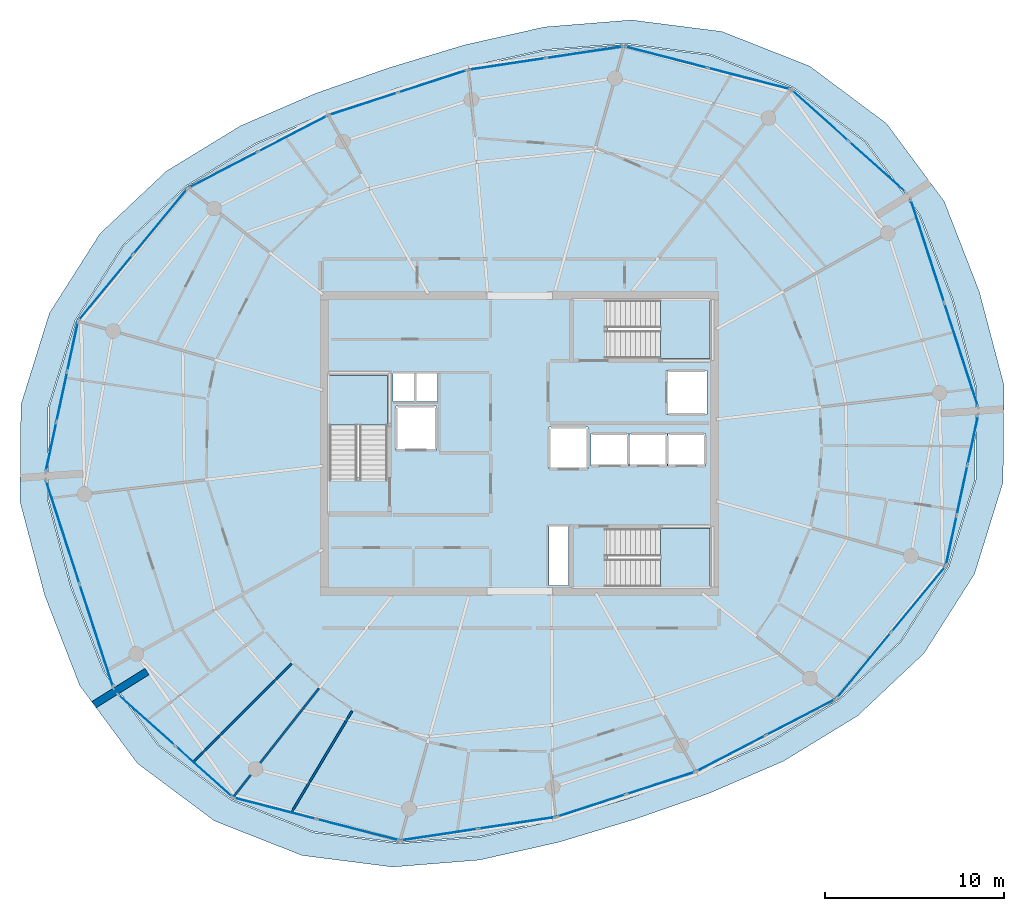
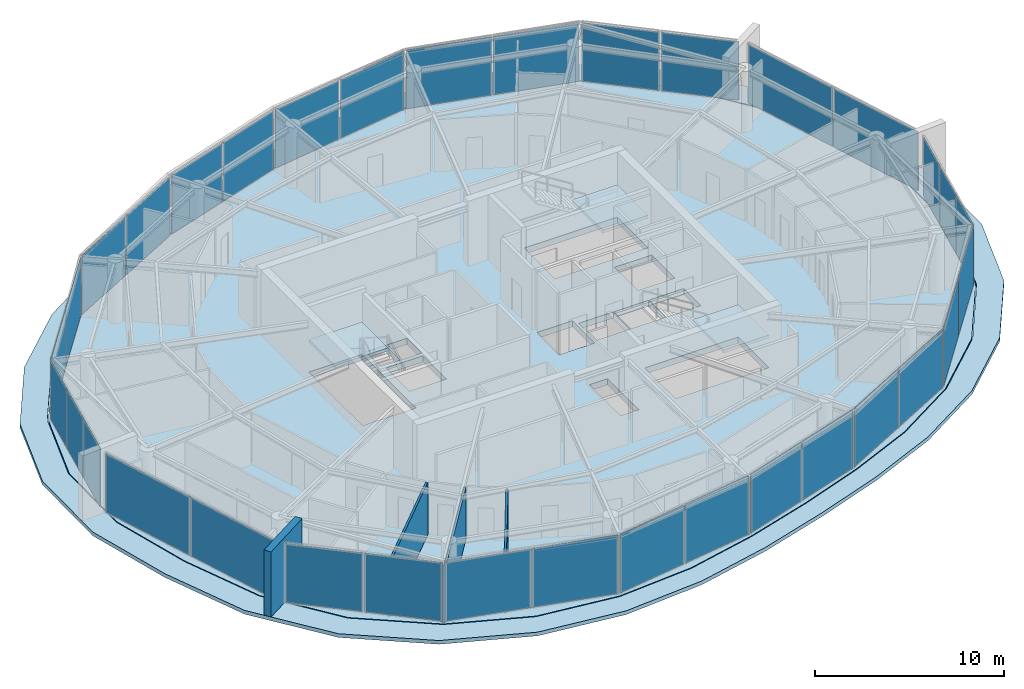
# One storey, part 10 of 16: 34 plates, 5 slabs, 4 walls, 19 elements without a shape of their own.
"""IFC4 building model written with IfcOpenShell, lengths in metres."""

import ifcopenshell
import ifcopenshell.guid

model = None  # the IFC model being written
_history = None  # IfcOwnerHistory: only IFC2X3 demands one
_inside = {}  # id of a spatial element -> (the spatial element, [elements in it])
_under = {}  # id of a project, library or spatial element -> (it, [spatial elements below it])
_declared = {}  # id of a project -> (the project, [libraries it declares])
_typed = {}  # id of a type object -> (the type object, [elements of that type])
_made_of = {}  # id of a material, layer set ... -> (it, [elements and type objects made of it])


def new_model(schema):
    """Start an empty IFC model of exactly this schema.

    Asked for "IFC4X3", IfcOpenShell would pick the latest addendum, in which some entities
    have other attributes; the version numbers below select the first issue.
    IFC2X3 requires an IfcOwnerHistory on every rooted entity: one is made here for all.
    """
    global model, _history
    if schema == "IFC4X3":
        model = ifcopenshell.file(schema_version=(4, 3, 0, 0))
    else:
        model = ifcopenshell.file(schema=schema)
    _inside.clear()
    _under.clear()
    _declared.clear()
    _typed.clear()
    _made_of.clear()
    _history = None
    if model.schema == "IFC2X3":
        org = make("IfcOrganization", Name="unknown")
        user = make(
            "IfcPersonAndOrganization",
            ThePerson=make("IfcPerson", FamilyName="unknown"),
            TheOrganization=org,
        )
        app = make(
            "IfcApplication",
            ApplicationDeveloper=org,
            Version="unknown",
            ApplicationFullName="unknown",
            ApplicationIdentifier="unknown",
        )
        _history = make(
            "IfcOwnerHistory",
            OwningUser=user,
            OwningApplication=app,
            ChangeAction="ADDED",
            CreationDate=0,
        )
    return model


def make(cls, **values):
    """One entity of the class cls with the attributes given. An attribute that is None is left unset."""
    return model.create_entity(
        cls, **{name: value for name, value in values.items() if value is not None}
    )


def rooted(cls, **values):
    """An entity with a GlobalId (a new one), such as an element, a storey or a relation."""
    return make(cls, GlobalId=ifcopenshell.guid.new(), OwnerHistory=_history, **values)


def si_unit(unit_type, name, prefix=None):
    """IfcSIUnit, for example si_unit("LENGTHUNIT", "METRE", prefix="MILLI")."""
    return make("IfcSIUnit", UnitType=unit_type, Prefix=prefix, Name=name)


def assignment(units):
    """IfcUnitAssignment: the units of a project."""
    return None if units is None else make("IfcUnitAssignment", Units=units)


def point(xyz):
    """IfcCartesianPoint."""
    return None if xyz is None else make("IfcCartesianPoint", Coordinates=xyz)


def direction(xyz):
    """IfcDirection."""
    return None if xyz is None else make("IfcDirection", DirectionRatios=xyz)


def frame(location, z_axis=None, x_axis=None):
    """IfcAxis2Placement3D, a coordinate frame: its origin and axes. An axis left out is left unset."""
    return make(
        "IfcAxis2Placement3D",
        Location=point(location),
        Axis=direction(z_axis),
        RefDirection=direction(x_axis),
    )


def frame_2d(location, x_axis=None):
    """IfcAxis2Placement2D, a coordinate frame in the plane: its origin and x axis."""
    return make(
        "IfcAxis2Placement2D", Location=point(location), RefDirection=direction(x_axis)
    )


def origin():
    """The frame at (0, 0, 0) with its axes left unset."""
    return frame((0.0, 0.0, 0.0))


def origin_2d():
    """The frame at (0, 0) in the plane with its x axis left unset."""
    return frame_2d((0.0, 0.0))


def place(relative_to, where):
    """IfcLocalPlacement: puts the frame where relative to a parent placement (None: the world)."""
    return make(
        "IfcLocalPlacement", PlacementRelTo=relative_to, RelativePlacement=where
    )


def context(
    kind, dimensions, precision=None, world=None, true_north=None, identifier=None
):
    """IfcGeometricRepresentationContext, for example the 3D "Model" context."""
    return make(
        "IfcGeometricRepresentationContext",
        ContextIdentifier=identifier,
        ContextType=kind,
        CoordinateSpaceDimension=dimensions,
        Precision=precision,
        WorldCoordinateSystem=world,
        TrueNorth=true_north,
    )


def subcontext(parent, identifier, kind, view, scale=None):
    """IfcGeometricRepresentationSubContext, for example "Body" below "Model"."""
    return make(
        "IfcGeometricRepresentationSubContext",
        ContextIdentifier=identifier,
        ContextType=kind,
        ParentContext=parent,
        TargetScale=scale,
        TargetView=view,
    )


def project(units=None, contexts=None):
    """IfcProject with its units and contexts."""
    return rooted(
        "IfcProject",
        Name="project",
        RepresentationContexts=contexts,
        UnitsInContext=assignment(units),
    )


def spatial(cls, under=None, at=None, **own):
    """A site, building, storey or space (cls), placed at a placement, below another one or the project."""
    s = rooted(cls, ObjectPlacement=at, **own)
    if under is not None:
        _under.setdefault(under.id(), (under, []))[1].append(s)
    return s


def polyline(points):
    """IfcPolyline through the points."""
    return make("IfcPolyline", Points=[point(p) for p in points])


def profile(cls, at=None, kind="AREA", **sizes):
    """A parametric profile (cls). Its sizes go by their IFC names, for example OverallWidth=200.0."""
    return make(cls, ProfileType=kind, Position=at, **sizes)


def rectangle(**sizes):
    """IfcRectangleProfileDef."""
    return profile("IfcRectangleProfileDef", **sizes)


def outline(outer, holes=None, kind="AREA"):
    """IfcArbitraryClosedProfileDef: a profile drawn as a closed curve; with holes, ...WithVoids."""
    if holes is None:
        return make("IfcArbitraryClosedProfileDef", ProfileType=kind, OuterCurve=outer)
    return make(
        "IfcArbitraryProfileDefWithVoids",
        ProfileType=kind,
        OuterCurve=outer,
        InnerCurves=holes,
    )


def extrude(swept, where, along, depth):
    """IfcExtrudedAreaSolid: the profile swept, set in the frame where, extruded along a direction by depth."""
    return make(
        "IfcExtrudedAreaSolid",
        SweptArea=swept,
        Position=where,
        ExtrudedDirection=direction(along),
        Depth=depth,
    )


def shape(context_of_items, identifier, shape_type, items):
    """IfcShapeRepresentation: the items that make up one representation, for example the "Body"."""
    return make(
        "IfcShapeRepresentation",
        ContextOfItems=context_of_items,
        RepresentationIdentifier=identifier,
        RepresentationType=shape_type,
        Items=items,
    )


def material(Name=None, Category=None):
    """IfcMaterial."""
    return make("IfcMaterial", Name=Name, Category=Category)


def layer(
    of_material, thickness, ventilated=None, Name=None, Category=None, Priority=None
):
    """IfcMaterialLayer: one layer of a wall or slab, of a material (None: an air gap)."""
    return make(
        "IfcMaterialLayer",
        Material=of_material,
        LayerThickness=thickness,
        IsVentilated=ventilated,
        Name=Name,
        Category=Category,
        Priority=Priority,
    )


def layer_set(layers, Name=None):
    """IfcMaterialLayerSet."""
    return make("IfcMaterialLayerSet", MaterialLayers=layers, LayerSetName=Name)


def made_of(thing, what):
    """Note that an element or type object is made of a material, layer set ...; save() writes the relation."""
    if what is not None:
        _made_of.setdefault(what.id(), (what, []))[1].append(thing)
    return thing


def type_object(cls, material=None, **own):
    """A type object (cls), such as IfcWallType, which elements share."""
    return made_of(rooted(cls, **own), material)


def element(
    cls,
    number,
    at=None,
    inside=None,
    cuts=None,
    type_object=None,
    material=None,
    context=None,
    identifier="Body",
    shape_type=None,
    held_by="IfcProductDefinitionShape",
    body=None,
    shapes=None,
    **own,
):
    """One element of the class cls, such as IfcWall. Its Tag is "e" and its number.

    at: its placement. inside: the storey or other place that contains it. cuts: it is an
    opening in that element (IfcRelVoidsElement). A single representation is given by context,
    identifier, shape_type and body (its items); several are given by shapes. held_by: the class
    of the entity that holds the representations. save() writes the other relations.
    """
    e = rooted(cls, Tag="e%d" % number, ObjectPlacement=at, **own)
    if body is not None:
        shapes = [shape(context, identifier, shape_type, body)]
    if shapes is not None:
        e.Representation = make(held_by, Representations=shapes)
    if inside is not None:
        _inside.setdefault(inside.id(), (inside, []))[1].append(e)
    if cuts is not None:
        rooted(
            "IfcRelVoidsElement", RelatingBuildingElement=cuts, RelatedOpeningElement=e
        )
    if type_object is not None:
        _typed.setdefault(type_object.id(), (type_object, []))[1].append(e)
    return made_of(e, material)


def aggregate(whole, parts):
    """IfcRelAggregates: a whole, such as a stair, and the parts it consists of."""
    return rooted("IfcRelAggregates", RelatingObject=whole, RelatedObjects=parts)


def save(model, path):
    """Write the relations noted so far, then the file.

    IfcRelAggregates (storeys below a building ...), IfcRelContainedInSpatialStructure (elements
    in a storey), IfcRelDefinesByType, IfcRelAssociatesMaterial and IfcRelDeclares: one each for
    every whole, place, type object, material and project.
    """
    for whole, parts in _under.values():
        aggregate(whole, parts)
    for where, things in _inside.values():
        rooted(
            "IfcRelContainedInSpatialStructure",
            RelatedElements=things,
            RelatingStructure=where,
        )
    for kind, things in _typed.values():
        rooted("IfcRelDefinesByType", RelatedObjects=things, RelatingType=kind)
    for what, things in _made_of.values():
        rooted("IfcRelAssociatesMaterial", RelatedObjects=things, RelatingMaterial=what)
    for by, libraries in _declared.values():
        rooted("IfcRelDeclares", RelatingContext=by, RelatedDefinitions=libraries)
    model.write(path)


model = new_model("IFC4")

# Units and contexts
model_context = context("Model", 3, precision=1e-05, world=origin(), true_north=direction((0.0, 1.0)))
body_context = subcontext(model_context, "Body", "Model", "MODEL_VIEW")
ifc_project = project(units=[si_unit("LENGTHUNIT", "METRE"), si_unit("AREAUNIT", "SQUARE_METRE"), si_unit("VOLUMEUNIT", "CUBIC_METRE"), si_unit("PLANEANGLEUNIT", "RADIAN"), si_unit("MASSUNIT", "GRAM", prefix="KILO")], contexts=[model_context])

# Site, building, storey
site_placement = place(None, origin())
site = spatial("IfcSite", under=ifc_project, at=site_placement, CompositionType="ELEMENT")
building_placement = place(site_placement, origin())
building = spatial("IfcBuilding", under=site, at=building_placement, Name="Kazma Halo Residences", CompositionType="ELEMENT")
storey_placement = place(building_placement, frame((0.0, 0.0, 313.699951171875)))
storey = spatial("IfcBuildingStorey", under=building, at=storey_placement, Name="L79", CompositionType="ELEMENT", Elevation=313.699951171875)

# Curtain wall, plates
ifc_material_1 = material(Name="Aluminium AW-6063 T6 and Triple-Silver Low-E Glass", Category="aluminium")
ifc_layer_1 = layer(ifc_material_1, 0.239990234375)
ifc_layer_set_1 = layer_set([ifc_layer_1], Name="Aluminium AW-6063 T6 and Triple-Silver Low-E Glass")
curtain_wall_type = type_object("IfcCurtainWallType", Name="CW-SYS-6", PredefinedType="NOTDEFINED", material=ifc_layer_set_1)
curtain_wall_1_placement = place(storey_placement, origin())
curtain_wall_1 = element("IfcCurtainWall", 1, at=curtain_wall_1_placement, inside=storey, type_object=curtain_wall_type, Name="L79 unitised curtain wall B01", PredefinedType="NOTDEFINED")
ifc_material_2 = material(Name="Clear Triple-Silver Low-E Glass IGU", Category="glass")
ifc_layer_2 = layer(ifc_material_2, 0.035888671875)
ifc_layer_set_2 = layer_set([ifc_layer_2], Name="Clear Triple-Silver Low-E Glass IGU")
plate_type = type_object("IfcPlateType", Name="CW-SYS-6-PNL", PredefinedType="CURTAIN_PANEL", material=ifc_layer_set_2)
plate_1_placement = place(storey_placement, frame((68.37646484375, 57.44189453125, 0.080078125), z_axis=(0.0, 0.0, 1.0), x_axis=(-0.744378829791, 0.667757559118, 0.0)))
plate_1 = element("IfcPlate", 2, at=plate_1_placement, type_object=plate_type, Name="CWS-6 panel 1.1", PredefinedType="CURTAIN_PANEL", context=body_context, shape_type="SweptSolid", body=[
    extrude(rectangle(XDim=4.19677734375, YDim=0.035888671875, at=origin_2d()), origin(), (0.0, 0.0, 1.0), 3.780029296875),
])
plate_2_placement = place(storey_placement, frame((65.19287109375, 60.297607421875, 0.080078125), z_axis=(0.0, 0.0, 1.0), x_axis=(-0.744378829791, 0.667757559118, 0.0)))
plate_2 = element("IfcPlate", 3, at=plate_2_placement, type_object=plate_type, Name="CWS-6 panel 2.1", PredefinedType="CURTAIN_PANEL", context=body_context, shape_type="SweptSolid", body=[
    extrude(rectangle(XDim=4.19677734375, YDim=0.035888671875, at=origin_2d()), origin(), (0.0, 0.0, 1.0), 3.780029296875),
])
aggregate(curtain_wall_1, [plate_1, plate_2])

curtain_wall_2_placement = place(storey_placement, origin())
curtain_wall_2 = element("IfcCurtainWall", 4, at=curtain_wall_2_placement, inside=storey, type_object=curtain_wall_type, Name="L79 unitised curtain wall B02", PredefinedType="NOTDEFINED")
plate_3_placement = place(storey_placement, frame((61.22119140625, 62.357666015625, 0.080078125), z_axis=(0.0, 0.0, 1.0), x_axis=(-0.968388774768, 0.249445747416, 0.0)))
plate_3 = element("IfcPlate", 5, at=plate_3_placement, type_object=plate_type, Name="CWS-6 panel 1.1", PredefinedType="CURTAIN_PANEL", context=body_context, shape_type="SweptSolid", body=[
    extrude(rectangle(XDim=4.69384765625, YDim=0.035888671875, at=origin_2d()), origin(), (0.0, 0.0, 1.0), 3.780029296875),
])
plate_4_placement = place(storey_placement, frame((56.59814453125, 63.54833984375, 0.080078125), z_axis=(0.0, 0.0, 1.0), x_axis=(-0.968388774768, 0.249445747416, 0.0)))
plate_4 = element("IfcPlate", 6, at=plate_4_placement, type_object=plate_type, Name="CWS-6 panel 2.1", PredefinedType="CURTAIN_PANEL", context=body_context, shape_type="SweptSolid", body=[
    extrude(rectangle(XDim=4.69384765625, YDim=0.035888671875, at=origin_2d()), origin(), (0.0, 0.0, 1.0), 3.780029296875),
])
aggregate(curtain_wall_2, [plate_3, plate_4])

curtain_wall_3_placement = place(storey_placement, origin())
curtain_wall_3 = element("IfcCurtainWall", 7, at=curtain_wall_3_placement, inside=storey, type_object=curtain_wall_type, Name="L79 unitised curtain wall B03", PredefinedType="NOTDEFINED")
plate_5_placement = place(storey_placement, frame((52.049560546875, 63.82275390625, 0.080078125), z_axis=(0.0, 0.0, 1.0), x_axis=(-0.988856643836, -0.148870876743, 0.0)))
plate_5 = element("IfcPlate", 8, at=plate_5_placement, type_object=plate_type, Name="CWS-6 panel 1.1", PredefinedType="CURTAIN_PANEL", context=body_context, shape_type="SweptSolid", body=[
    extrude(rectangle(XDim=4.28662109375, YDim=0.035888671875, at=origin_2d()), origin(), (0.0, 0.0, 1.0), 3.780029296875),
])
plate_6_placement = place(storey_placement, frame((47.731689453125, 63.1728515625, 0.080078125), z_axis=(0.0, 0.0, 1.0), x_axis=(-0.988856643836, -0.148870876743, 0.0)))
plate_6 = element("IfcPlate", 9, at=plate_6_placement, type_object=plate_type, Name="CWS-6 panel 2.1", PredefinedType="CURTAIN_PANEL", context=body_context, shape_type="SweptSolid", body=[
    extrude(rectangle(XDim=4.28662109375, YDim=0.035888671875, at=origin_2d()), origin(), (0.0, 0.0, 1.0), 3.780029296875),
])
aggregate(curtain_wall_3, [plate_5, plate_6])

curtain_wall_4_placement = place(storey_placement, origin())
curtain_wall_4 = element("IfcCurtainWall", 10, at=curtain_wall_4_placement, inside=storey, type_object=curtain_wall_type, Name="L79 unitised curtain wall B04", PredefinedType="NOTDEFINED")
plate_7_placement = place(storey_placement, frame((43.567138671875, 62.202880859375, 0.080078125), z_axis=(0.0, 0.0, 1.0), x_axis=(-0.951055604489, -0.309019800612, 0.0)))
plate_7 = element("IfcPlate", 11, at=plate_7_placement, type_object=plate_type, Name="CWS-6 panel 1.1", PredefinedType="CURTAIN_PANEL", context=body_context, shape_type="SweptSolid", body=[
    extrude(rectangle(XDim=3.974365234375, YDim=0.035888671875, at=origin_2d()), origin(), (0.0, 0.0, 1.0), 3.780029296875),
])
plate_8_placement = place(storey_placement, frame((39.711181640625, 60.9501953125, 0.080078125), z_axis=(0.0, 0.0, 1.0), x_axis=(-0.951055604489, -0.309019800612, 0.0)))
plate_8 = element("IfcPlate", 12, at=plate_8_placement, type_object=plate_type, Name="CWS-6 panel 2.1", PredefinedType="CURTAIN_PANEL", context=body_context, shape_type="SweptSolid", body=[
    extrude(rectangle(XDim=3.974365234375, YDim=0.035888671875, at=origin_2d()), origin(), (0.0, 0.0, 1.0), 3.780029296875),
])
aggregate(curtain_wall_4, [plate_7, plate_8])

curtain_wall_5_placement = place(storey_placement, origin())
curtain_wall_5 = element("IfcCurtainWall", 13, at=curtain_wall_5_placement, inside=storey, type_object=curtain_wall_type, Name="L79 unitised curtain wall B05", PredefinedType="NOTDEFINED")
plate_9_placement = place(storey_placement, frame((35.77197265625, 59.286865234375, 0.080078125), z_axis=(0.0, 0.0, 1.0), x_axis=(-0.887506071618, -0.460796020861, 0.0)))
plate_9 = element("IfcPlate", 14, at=plate_9_placement, type_object=plate_type, Name="CWS-6 panel 1.1", PredefinedType="CURTAIN_PANEL", context=body_context, shape_type="SweptSolid", body=[
    extrude(rectangle(XDim=4.28662109375, YDim=0.035888671875, at=origin_2d()), origin(), (0.0, 0.0, 1.0), 3.780029296875),
])
plate_10_placement = place(storey_placement, frame((31.896728515625, 57.274658203125, 0.080078125), z_axis=(0.0, 0.0, 1.0), x_axis=(-0.887506071618, -0.460796020861, 0.0)))
plate_10 = element("IfcPlate", 15, at=plate_10_placement, type_object=plate_type, Name="CWS-6 panel 2.1", PredefinedType="CURTAIN_PANEL", context=body_context, shape_type="SweptSolid", body=[
    extrude(rectangle(XDim=4.28662109375, YDim=0.035888671875, at=origin_2d()), origin(), (0.0, 0.0, 1.0), 3.780029296875),
])
aggregate(curtain_wall_5, [plate_9, plate_10])

curtain_wall_6_placement = place(storey_placement, origin())
curtain_wall_6 = element("IfcCurtainWall", 16, at=curtain_wall_6_placement, inside=storey, type_object=curtain_wall_type, Name="L79 unitised curtain wall B06", PredefinedType="NOTDEFINED")
plate_11_placement = place(storey_placement, frame((28.378173828125, 54.379150390625, 0.080078125), z_axis=(0.0, 0.0, 1.0), x_axis=(-0.636818097734, -0.771014079248, 0.0)))
plate_11 = element("IfcPlate", 17, at=plate_11_placement, type_object=plate_type, Name="CWS-6 panel 1.1", PredefinedType="CURTAIN_PANEL", context=body_context, shape_type="SweptSolid", body=[
    extrude(rectangle(XDim=4.69384765625, YDim=0.035888671875, at=origin_2d()), origin(), (0.0, 0.0, 1.0), 3.780029296875),
])
plate_12_placement = place(storey_placement, frame((25.337890625, 50.698486328125, 0.080078125), z_axis=(0.0, 0.0, 1.0), x_axis=(-0.636818097734, -0.771014079248, 0.0)))
plate_12 = element("IfcPlate", 18, at=plate_12_placement, type_object=plate_type, Name="CWS-6 panel 2.1", PredefinedType="CURTAIN_PANEL", context=body_context, shape_type="SweptSolid", body=[
    extrude(rectangle(XDim=4.69384765625, YDim=0.035888671875, at=origin_2d()), origin(), (0.0, 0.0, 1.0), 3.780029296875),
])
aggregate(curtain_wall_6, [plate_11, plate_12])

curtain_wall_7_placement = place(storey_placement, origin())
curtain_wall_7 = element("IfcCurtainWall", 19, at=curtain_wall_7_placement, inside=storey, type_object=curtain_wall_type, Name="L79 unitised curtain wall B07", PredefinedType="NOTDEFINED")
plate_13_placement = place(storey_placement, frame((23.486572265625, 47.40087890625, 0.080078125), z_axis=(0.0, 0.0, 1.0), x_axis=(-0.209722888986, -0.977760865363, 0.0)))
plate_13 = element("IfcPlate", 20, at=plate_13_placement, type_object=plate_type, Name="CWS-6 panel 1.1", PredefinedType="CURTAIN_PANEL", context=body_context, shape_type="SweptSolid", body=[
    extrude(rectangle(XDim=2.7578125, YDim=0.035888671875, at=origin_2d()), origin(), (0.0, 0.0, 1.0), 3.780029296875),
])
plate_14_placement = place(storey_placement, frame((22.88720703125, 44.6064453125, 0.080078125), z_axis=(0.0, 0.0, 1.0), x_axis=(-0.209722888986, -0.977760865363, 0.0)))
plate_14 = element("IfcPlate", 21, at=plate_14_placement, type_object=plate_type, Name="CWS-6 panel 2.1", PredefinedType="CURTAIN_PANEL", context=body_context, shape_type="SweptSolid", body=[
    extrude(rectangle(XDim=2.7978515625, YDim=0.035888671875, at=origin_2d()), origin(), (0.0, 0.0, 1.0), 3.780029296875),
])
plate_15_placement = place(storey_placement, frame((22.287841796875, 41.812255859375, 0.080078125), z_axis=(0.0, 0.0, 1.0), x_axis=(-0.209722888986, -0.977760865363, 0.0)))
plate_15 = element("IfcPlate", 22, at=plate_15_placement, type_object=plate_type, Name="CWS-6 panel 3.1", PredefinedType="CURTAIN_PANEL", context=body_context, shape_type="SweptSolid", body=[
    extrude(rectangle(XDim=2.7578125, YDim=0.035888671875, at=origin_2d()), origin(), (0.0, 0.0, 1.0), 3.780029296875),
])
aggregate(curtain_wall_7, [plate_13, plate_14, plate_15])

curtain_wall_8_placement = place(storey_placement, origin())
curtain_wall_8 = element("IfcCurtainWall", 23, at=curtain_wall_8_placement, inside=storey, type_object=curtain_wall_type, Name="L79 unitised curtain wall B08", PredefinedType="NOTDEFINED")
plate_16_placement = place(storey_placement, frame((22.939208984375, 37.0498046875, 0.080078125), z_axis=(0.0, 0.0, 1.0), x_axis=(0.309018932797, -0.951055886462, 0.0)))
plate_16 = element("IfcPlate", 24, at=plate_16_placement, type_object=plate_type, Name="CWS-6 panel 1.1", PredefinedType="CURTAIN_PANEL", context=body_context, shape_type="SweptSolid", body=[
    extrude(rectangle(XDim=5.99267578125, YDim=0.035888671875, at=origin_2d()), origin(), (0.0, 0.0, 1.0), 3.780029296875),
])
plate_17_placement = place(storey_placement, frame((24.81591796875, 31.2744140625, 0.080078125), z_axis=(0.0, 0.0, 1.0), x_axis=(0.309018932797, -0.951055886462, 0.0)))
plate_17 = element("IfcPlate", 25, at=plate_17_placement, type_object=plate_type, Name="CWS-6 panel 2.1", PredefinedType="CURTAIN_PANEL", context=body_context, shape_type="SweptSolid", body=[
    extrude(rectangle(XDim=5.99267578125, YDim=0.035888671875, at=origin_2d()), origin(), (0.0, 0.0, 1.0), 3.780029296875),
])
aggregate(curtain_wall_8, [plate_16, plate_17])

curtain_wall_9_placement = place(storey_placement, origin())
curtain_wall_9 = element("IfcCurtainWall", 26, at=curtain_wall_9_placement, inside=storey, type_object=curtain_wall_type, Name="L79 unitised curtain wall B09", PredefinedType="NOTDEFINED")
plate_18_placement = place(storey_placement, frame((27.62353515625, 26.55810546875, 0.080078125), z_axis=(0.0, 0.0, 1.0), x_axis=(0.744378829791, -0.667757559118, 0.0)))
plate_18 = element("IfcPlate", 27, at=plate_18_placement, type_object=plate_type, Name="CWS-6 panel 1.1", PredefinedType="CURTAIN_PANEL", context=body_context, shape_type="SweptSolid", body=[
    extrude(rectangle(XDim=4.19677734375, YDim=0.035888671875, at=origin_2d()), origin(), (0.0, 0.0, 1.0), 3.780029296875),
])
plate_19_placement = place(storey_placement, frame((30.80712890625, 23.702392578125, 0.080078125), z_axis=(0.0, 0.0, 1.0), x_axis=(0.744378829791, -0.667757559118, 0.0)))
plate_19 = element("IfcPlate", 28, at=plate_19_placement, type_object=plate_type, Name="CWS-6 panel 2.1", PredefinedType="CURTAIN_PANEL", context=body_context, shape_type="SweptSolid", body=[
    extrude(rectangle(XDim=4.19677734375, YDim=0.035888671875, at=origin_2d()), origin(), (0.0, 0.0, 1.0), 3.780029296875),
])
aggregate(curtain_wall_9, [plate_18, plate_19])

curtain_wall_10_placement = place(storey_placement, origin())
curtain_wall_10 = element("IfcCurtainWall", 29, at=curtain_wall_10_placement, inside=storey, type_object=curtain_wall_type, Name="L79 unitised curtain wall B10", PredefinedType="NOTDEFINED")
plate_20_placement = place(storey_placement, frame((34.77880859375, 21.642333984375, 0.080078125), z_axis=(0.0, 0.0, 1.0), x_axis=(0.968388774768, -0.249445747416, 0.0)))
plate_20 = element("IfcPlate", 30, at=plate_20_placement, type_object=plate_type, Name="CWS-6 panel 1.1", PredefinedType="CURTAIN_PANEL", context=body_context, shape_type="SweptSolid", body=[
    extrude(rectangle(XDim=4.69384765625, YDim=0.035888671875, at=origin_2d()), origin(), (0.0, 0.0, 1.0), 3.780029296875),
])
plate_21_placement = place(storey_placement, frame((39.40185546875, 20.45166015625, 0.080078125), z_axis=(0.0, 0.0, 1.0), x_axis=(0.968388774768, -0.249445747416, 0.0)))
plate_21 = element("IfcPlate", 31, at=plate_21_placement, type_object=plate_type, Name="CWS-6 panel 2.1", PredefinedType="CURTAIN_PANEL", context=body_context, shape_type="SweptSolid", body=[
    extrude(rectangle(XDim=4.69384765625, YDim=0.035888671875, at=origin_2d()), origin(), (0.0, 0.0, 1.0), 3.780029296875),
])
aggregate(curtain_wall_10, [plate_20, plate_21])

curtain_wall_11_placement = place(storey_placement, origin())
curtain_wall_11 = element("IfcCurtainWall", 32, at=curtain_wall_11_placement, inside=storey, type_object=curtain_wall_type, Name="L79 unitised curtain wall B11", PredefinedType="NOTDEFINED")
plate_22_placement = place(storey_placement, frame((43.950439453125, 20.17724609375, 0.080078125), z_axis=(0.0, 0.0, 1.0), x_axis=(0.988856643836, 0.148870876743, 0.0)))
plate_22 = element("IfcPlate", 33, at=plate_22_placement, type_object=plate_type, Name="CWS-6 panel 1.1", PredefinedType="CURTAIN_PANEL", context=body_context, shape_type="SweptSolid", body=[
    extrude(rectangle(XDim=4.28662109375, YDim=0.035888671875, at=origin_2d()), origin(), (0.0, 0.0, 1.0), 3.780029296875),
])
plate_23_placement = place(storey_placement, frame((48.268310546875, 20.8271484375, 0.080078125), z_axis=(0.0, 0.0, 1.0), x_axis=(0.988856643836, 0.148870876743, 0.0)))
plate_23 = element("IfcPlate", 34, at=plate_23_placement, type_object=plate_type, Name="CWS-6 panel 2.1", PredefinedType="CURTAIN_PANEL", context=body_context, shape_type="SweptSolid", body=[
    extrude(rectangle(XDim=4.28662109375, YDim=0.035888671875, at=origin_2d()), origin(), (0.0, 0.0, 1.0), 3.780029296875),
])
aggregate(curtain_wall_11, [plate_22, plate_23])

curtain_wall_12_placement = place(storey_placement, origin())
curtain_wall_12 = element("IfcCurtainWall", 35, at=curtain_wall_12_placement, inside=storey, type_object=curtain_wall_type, Name="L79 unitised curtain wall B12", PredefinedType="NOTDEFINED")
plate_24_placement = place(storey_placement, frame((52.432861328125, 21.797119140625, 0.080078125), z_axis=(0.0, 0.0, 1.0), x_axis=(0.951055604489, 0.309019800612, 0.0)))
plate_24 = element("IfcPlate", 36, at=plate_24_placement, type_object=plate_type, Name="CWS-6 panel 1.1", PredefinedType="CURTAIN_PANEL", context=body_context, shape_type="SweptSolid", body=[
    extrude(rectangle(XDim=3.974365234375, YDim=0.035888671875, at=origin_2d()), origin(), (0.0, 0.0, 1.0), 3.780029296875),
])
plate_25_placement = place(storey_placement, frame((56.288818359375, 23.0498046875, 0.080078125), z_axis=(0.0, 0.0, 1.0), x_axis=(0.951055604489, 0.309019800612, 0.0)))
plate_25 = element("IfcPlate", 37, at=plate_25_placement, type_object=plate_type, Name="CWS-6 panel 2.1", PredefinedType="CURTAIN_PANEL", context=body_context, shape_type="SweptSolid", body=[
    extrude(rectangle(XDim=3.974365234375, YDim=0.035888671875, at=origin_2d()), origin(), (0.0, 0.0, 1.0), 3.780029296875),
])
aggregate(curtain_wall_12, [plate_24, plate_25])

curtain_wall_13_placement = place(storey_placement, origin())
curtain_wall_13 = element("IfcCurtainWall", 38, at=curtain_wall_13_placement, inside=storey, type_object=curtain_wall_type, Name="L79 unitised curtain wall B13", PredefinedType="NOTDEFINED")
plate_26_placement = place(storey_placement, frame((60.22802734375, 24.713134765625, 0.080078125), z_axis=(0.0, 0.0, 1.0), x_axis=(0.887506071618, 0.460796020861, 0.0)))
plate_26 = element("IfcPlate", 39, at=plate_26_placement, type_object=plate_type, Name="CWS-6 panel 1.1", PredefinedType="CURTAIN_PANEL", context=body_context, shape_type="SweptSolid", body=[
    extrude(rectangle(XDim=4.28662109375, YDim=0.035888671875, at=origin_2d()), origin(), (0.0, 0.0, 1.0), 3.780029296875),
])
plate_27_placement = place(storey_placement, frame((64.103271484375, 26.725341796875, 0.080078125), z_axis=(0.0, 0.0, 1.0), x_axis=(0.887506071618, 0.460796020861, 0.0)))
plate_27 = element("IfcPlate", 40, at=plate_27_placement, type_object=plate_type, Name="CWS-6 panel 2.1", PredefinedType="CURTAIN_PANEL", context=body_context, shape_type="SweptSolid", body=[
    extrude(rectangle(XDim=4.28662109375, YDim=0.035888671875, at=origin_2d()), origin(), (0.0, 0.0, 1.0), 3.780029296875),
])
aggregate(curtain_wall_13, [plate_26, plate_27])

curtain_wall_14_placement = place(storey_placement, origin())
curtain_wall_14 = element("IfcCurtainWall", 41, at=curtain_wall_14_placement, inside=storey, type_object=curtain_wall_type, Name="L79 unitised curtain wall B14", PredefinedType="NOTDEFINED")
plate_28_placement = place(storey_placement, frame((67.621826171875, 29.620849609375, 0.080078125), z_axis=(0.0, 0.0, 1.0), x_axis=(0.636818097734, 0.771014079248, 0.0)))
plate_28 = element("IfcPlate", 42, at=plate_28_placement, type_object=plate_type, Name="CWS-6 panel 1.1", PredefinedType="CURTAIN_PANEL", context=body_context, shape_type="SweptSolid", body=[
    extrude(rectangle(XDim=4.69384765625, YDim=0.035888671875, at=origin_2d()), origin(), (0.0, 0.0, 1.0), 3.780029296875),
])
plate_29_placement = place(storey_placement, frame((70.662109375, 33.301513671875, 0.080078125), z_axis=(0.0, 0.0, 1.0), x_axis=(0.636818097734, 0.771014079248, 0.0)))
plate_29 = element("IfcPlate", 43, at=plate_29_placement, type_object=plate_type, Name="CWS-6 panel 2.1", PredefinedType="CURTAIN_PANEL", context=body_context, shape_type="SweptSolid", body=[
    extrude(rectangle(XDim=4.69384765625, YDim=0.035888671875, at=origin_2d()), origin(), (0.0, 0.0, 1.0), 3.780029296875),
])
aggregate(curtain_wall_14, [plate_28, plate_29])

curtain_wall_15_placement = place(storey_placement, origin())
curtain_wall_15 = element("IfcCurtainWall", 44, at=curtain_wall_15_placement, inside=storey, type_object=curtain_wall_type, Name="L79 unitised curtain wall B15", PredefinedType="NOTDEFINED")
plate_30_placement = place(storey_placement, frame((72.513427734375, 36.59912109375, 0.080078125), z_axis=(0.0, 0.0, 1.0), x_axis=(0.209722888986, 0.977760865363, 0.0)))
plate_30 = element("IfcPlate", 45, at=plate_30_placement, type_object=plate_type, Name="CWS-6 panel 1.1", PredefinedType="CURTAIN_PANEL", context=body_context, shape_type="SweptSolid", body=[
    extrude(rectangle(XDim=2.7578125, YDim=0.035888671875, at=origin_2d()), origin(), (0.0, 0.0, 1.0), 3.780029296875),
])
plate_31_placement = place(storey_placement, frame((73.11279296875, 39.3935546875, 0.080078125), z_axis=(0.0, 0.0, 1.0), x_axis=(0.209722888986, 0.977760865363, 0.0)))
plate_31 = element("IfcPlate", 46, at=plate_31_placement, type_object=plate_type, Name="CWS-6 panel 2.1", PredefinedType="CURTAIN_PANEL", context=body_context, shape_type="SweptSolid", body=[
    extrude(rectangle(XDim=2.7978515625, YDim=0.035888671875, at=origin_2d()), origin(), (0.0, 0.0, 1.0), 3.780029296875),
])
plate_32_placement = place(storey_placement, frame((73.712158203125, 42.187744140625, 0.080078125), z_axis=(0.0, 0.0, 1.0), x_axis=(0.209722888986, 0.977760865363, 0.0)))
plate_32 = element("IfcPlate", 47, at=plate_32_placement, type_object=plate_type, Name="CWS-6 panel 3.1", PredefinedType="CURTAIN_PANEL", context=body_context, shape_type="SweptSolid", body=[
    extrude(rectangle(XDim=2.7578125, YDim=0.035888671875, at=origin_2d()), origin(), (0.0, 0.0, 1.0), 3.780029296875),
])
aggregate(curtain_wall_15, [plate_30, plate_31, plate_32])

curtain_wall_16_placement = place(storey_placement, origin())
curtain_wall_16 = element("IfcCurtainWall", 48, at=curtain_wall_16_placement, inside=storey, type_object=curtain_wall_type, Name="L79 unitised curtain wall B16", PredefinedType="NOTDEFINED")
plate_33_placement = place(storey_placement, frame((73.060791015625, 46.9501953125, 0.080078125), z_axis=(0.0, 0.0, 1.0), x_axis=(-0.309018932797, 0.951055886462, 0.0)))
plate_33 = element("IfcPlate", 49, at=plate_33_placement, type_object=plate_type, Name="CWS-6 panel 1.1", PredefinedType="CURTAIN_PANEL", context=body_context, shape_type="SweptSolid", body=[
    extrude(rectangle(XDim=5.99267578125, YDim=0.035888671875, at=origin_2d()), origin(), (0.0, 0.0, 1.0), 3.780029296875),
])
plate_34_placement = place(storey_placement, frame((71.18408203125, 52.7255859375, 0.080078125), z_axis=(0.0, 0.0, 1.0), x_axis=(-0.309018932797, 0.951055886462, 0.0)))
plate_34 = element("IfcPlate", 50, at=plate_34_placement, type_object=plate_type, Name="CWS-6 panel 2.1", PredefinedType="CURTAIN_PANEL", context=body_context, shape_type="SweptSolid", body=[
    extrude(rectangle(XDim=5.99267578125, YDim=0.035888671875, at=origin_2d()), origin(), (0.0, 0.0, 1.0), 3.780029296875),
])
aggregate(curtain_wall_16, [plate_33, plate_34])

# Slab
ifc_material_3 = material(Name="Concrete C50/60", Category="concrete")
ifc_layer_3 = layer(ifc_material_3, 0.239990234375)
ifc_layer_set_3 = layer_set([ifc_layer_3], Name="Concrete C50/60")
slab_type_1 = type_object("IfcSlabType", Name="SLB-ROOF-240", PredefinedType="ROOF", material=ifc_layer_set_3)
slab_1_placement = place(storey_placement, frame((0.0, 0.0, -0.239990234375)))
element("IfcSlab", 51, at=slab_1_placement, inside=storey, type_object=slab_type_1, Name="L79 extensive green roof maintenance apron", PredefinedType="ROOF", context=body_context, shape_type="SweptSolid", body=[
    extrude(outline(polyline([(74.072021484375, 50.47119140625), (72.1162109375, 55.505859375), (68.8984375, 59.848876953125), (64.599609375, 63.056396484375), (59.7109375, 64.98388671875), (54.66357421875, 65.627197265625), (49.8291015625, 65.240478515625), (45.367919921875, 64.239013671875), (41.184814453125, 62.97509765625), (37.0576171875, 61.5390625), (32.85986328125, 59.726806640625), (28.721435546875, 57.197998046875), (25.01611328125, 53.7109375), (22.19384765625, 49.278076171875), (20.6015625, 44.15625), (20.551025390625, 38.751220703125), (21.927978515625, 33.52880859375), (23.8837890625, 28.494140625), (27.1015625, 24.151123046875), (31.400390625, 20.943603515625), (36.2890625, 19.01611328125), (41.33642578125, 18.372802734375), (46.1708984375, 18.759521484375), (50.632080078125, 19.760986328125), (54.815185546875, 21.02490234375), (58.9423828125, 22.4609375), (63.14013671875, 24.273193359375), (67.278564453125, 26.802001953125), (70.98388671875, 30.2890625), (73.80615234375, 34.721923828125), (75.3984375, 39.84375), (75.448974609375, 45.248779296875), (74.072021484375, 50.47119140625)]), holes=[polyline([(72.62109375, 50.0), (70.77392578125, 54.75390625), (67.7353515625, 58.855712890625), (63.676513671875, 61.885498046875), (59.060546875, 63.70751953125), (54.294189453125, 64.3173828125), (49.727783203125, 63.95458984375), (45.51318359375, 63.010498046875), (41.56103515625, 61.817138671875), (37.662109375, 60.459716796875), (33.697509765625, 58.74609375), (29.7900390625, 56.355712890625), (26.29248046875, 53.060546875), (23.62890625, 48.873291015625), (22.126220703125, 44.036376953125), (22.078857421875, 38.931884765625), (23.37890625, 34.0), (25.22607421875, 29.24609375), (28.2646484375, 25.144287109375), (32.323486328125, 22.114501953125), (36.939453125, 20.29248046875), (41.705810546875, 19.6826171875), (46.272216796875, 20.04541015625), (50.48681640625, 20.989501953125), (54.43896484375, 22.182861328125), (58.337890625, 23.540283203125), (62.302490234375, 25.25390625), (66.2099609375, 27.644287109375), (69.70751953125, 30.939453125), (72.37109375, 35.126708984375), (73.873779296875, 39.963623046875), (73.921142578125, 45.068115234375), (72.62109375, 50.0)])]), origin(), (0.0, 0.0, 1.0), 0.239990234375),
])

# Stair, slab
stair_type = type_object("IfcStairType", Name="STR-RES2", PredefinedType="HALF_TURN_STAIR", material=ifc_material_3)
stair_1_placement = place(storey_placement, origin())
stair_1 = element("IfcStair", 52, at=stair_1_placement, inside=storey, type_object=stair_type, Name="L79 Core exit stair ST-01", PredefinedType="HALF_TURN_STAIR")
ifc_layer_4 = layer(ifc_material_3, 0.199951171875)
ifc_layer_set_4 = layer_set([ifc_layer_4], Name="Concrete C50/60")
slab_type_2 = type_object("IfcSlabType", Name="SLB-STAIR-LND-200", PredefinedType="LANDING", material=ifc_layer_set_4)
slab_2_placement = place(storey_placement, frame((0.0, 0.0, 1.900146484375)))
slab_2 = element("IfcSlab", 53, at=slab_2_placement, type_object=slab_type_2, Name="ST-01 landing 1", PredefinedType="LANDING", context=body_context, shape_type="SweptSolid", body=[
    extrude(outline(polyline([(41.050048828125, 43.030029296875), (41.050048828125, 45.800048828125), (37.800048828125, 45.800048828125), (37.800048828125, 43.030029296875), (41.050048828125, 43.030029296875)])), origin(), (0.0, 0.0, 1.0), 0.199951171875),
])
aggregate(stair_1, [slab_2])

stair_2_placement = place(storey_placement, origin())
stair_2 = element("IfcStair", 54, at=stair_2_placement, inside=storey, type_object=stair_type, Name="L79 Core exit stair ST-02", PredefinedType="HALF_TURN_STAIR")
slab_3_placement = place(storey_placement, frame((0.0, 0.0, 1.900146484375)))
slab_3 = element("IfcSlab", 55, at=slab_3_placement, type_object=slab_type_2, Name="ST-02 landing 1", PredefinedType="LANDING", context=body_context, shape_type="SweptSolid", body=[
    extrude(outline(polyline([(56.280029296875, 46.75), (59.050048828125, 46.75), (59.050048828125, 50.0), (56.280029296875, 50.0), (56.280029296875, 46.75)])), origin(), (0.0, 0.0, 1.0), 0.199951171875),
])
aggregate(stair_2, [slab_3])

stair_3_placement = place(storey_placement, origin())
stair_3 = element("IfcStair", 56, at=stair_3_placement, inside=storey, type_object=stair_type, Name="L79 Core exit stair ST-03", PredefinedType="HALF_TURN_STAIR")
slab_4_placement = place(storey_placement, frame((0.0, 0.0, 1.900146484375)))
slab_4 = element("IfcSlab", 57, at=slab_4_placement, type_object=slab_type_2, Name="ST-03 landing 1", PredefinedType="LANDING", context=body_context, shape_type="SweptSolid", body=[
    extrude(outline(polyline([(56.280029296875, 34.0), (59.050048828125, 34.0), (59.050048828125, 37.25), (56.280029296875, 37.25), (56.280029296875, 34.0)])), origin(), (0.0, 0.0, 1.0), 0.199951171875),
])
aggregate(stair_3, [slab_4])

# Slab
ifc_material_4 = material(Name="Concrete C60/75", Category="concrete")
ifc_layer_5 = layer(ifc_material_4, 0.39990234375)
ifc_layer_set_5 = layer_set([ifc_layer_5], Name="Concrete C60/75")
slab_type_3 = type_object("IfcSlabType", Name="SLB-TRANS-400", PredefinedType="FLOOR", material=ifc_layer_set_5)
slab_5_placement = place(storey_placement, frame((0.0, 0.0, -0.39990234375)))
element("IfcSlab", 58, at=slab_5_placement, inside=storey, type_object=slab_type_3, Name="L79 structural floor slab", PredefinedType="FLOOR", context=body_context, shape_type="SweptSolid", body=[
    extrude(outline(polyline([(72.573486328125, 49.984375), (70.730224609375, 54.7294921875), (67.697265625, 58.822998046875), (63.6455078125, 61.84619140625), (59.037841796875, 63.6630859375), (54.280517578125, 64.269287109375), (49.723876953125, 63.90478515625), (45.51904296875, 62.9609375), (41.576416015625, 61.76953125), (37.6865234375, 60.416015625), (33.72998046875, 58.7080078125), (29.829345703125, 56.32470703125), (26.3369140625, 53.037841796875), (23.677001953125, 48.85986328125), (22.17626953125, 44.032470703125), (22.12841796875, 38.93798828125), (23.426513671875, 34.015625), (25.269775390625, 29.2705078125), (28.302734375, 25.177001953125), (32.3544921875, 22.15380859375), (36.962158203125, 20.3369140625), (41.719482421875, 19.730712890625), (46.276123046875, 20.09521484375), (50.48095703125, 21.0390625), (54.423583984375, 22.23046875), (58.3134765625, 23.583984375), (62.27001953125, 25.2919921875), (66.170654296875, 27.67529296875), (69.6630859375, 30.962158203125), (72.322998046875, 35.14013671875), (73.82373046875, 39.967529296875), (73.87158203125, 45.06201171875), (72.573486328125, 49.984375)]), holes=[polyline([(37.800048828125, 40.110107421875), (41.050048828125, 40.110107421875), (41.050048828125, 45.800048828125), (37.800048828125, 45.800048828125), (37.800048828125, 40.110107421875)]), polyline([(53.360107421875, 46.75), (59.050048828125, 46.75), (59.050048828125, 50.0), (53.360107421875, 50.0), (53.360107421875, 46.75)]), polyline([(53.360107421875, 34.0), (59.050048828125, 34.0), (59.050048828125, 37.25), (53.360107421875, 37.25), (53.360107421875, 34.0)]), polyline([(41.52001953125, 41.6201171875), (43.780029296875, 41.6201171875), (43.780029296875, 44.080078125), (41.52001953125, 44.080078125), (41.52001953125, 41.6201171875)]), polyline([(56.6201171875, 43.6201171875), (58.8798828125, 43.6201171875), (58.8798828125, 46.080078125), (56.6201171875, 46.080078125), (56.6201171875, 43.6201171875)]), polyline([(52.39501953125, 40.7451171875), (54.5048828125, 40.7451171875), (54.5048828125, 42.554931640625), (52.39501953125, 42.554931640625), (52.39501953125, 40.7451171875)]), polyline([(54.544921875, 40.7451171875), (56.655029296875, 40.7451171875), (56.655029296875, 42.554931640625), (54.544921875, 42.554931640625), (54.544921875, 40.7451171875)]), polyline([(56.695068359375, 40.7451171875), (58.804931640625, 40.7451171875), (58.804931640625, 42.554931640625), (56.695068359375, 42.554931640625), (56.695068359375, 40.7451171875)]), polyline([(50.070068359375, 40.570068359375), (52.22998046875, 40.570068359375), (52.22998046875, 42.929931640625), (50.070068359375, 42.929931640625), (50.070068359375, 40.570068359375)]), polyline([(41.360107421875, 44.340087890625), (42.5400390625, 44.340087890625), (42.5400390625, 45.89990234375), (41.360107421875, 45.89990234375), (41.360107421875, 44.340087890625)]), polyline([(42.659912109375, 44.340087890625), (43.840087890625, 44.340087890625), (43.840087890625, 45.89990234375), (42.659912109375, 45.89990234375), (42.659912109375, 44.340087890625)]), polyline([(50.06005859375, 34.080078125), (51.159912109375, 34.080078125), (51.159912109375, 37.3798828125), (50.06005859375, 37.3798828125), (50.06005859375, 34.080078125)])]), origin(), (0.0, 0.0, 1.0), 0.39990234375),
])

# Walls
ifc_material_5 = material(Name="Pale Concrete C60/75", Category="concrete")
ifc_layer_6 = layer(ifc_material_5, 0.419921875)
ifc_layer_set_6 = layer_set([ifc_layer_6], Name="Pale Concrete C60/75")
wall_type_1 = type_object("IfcWallType", Name="WL-BLADE-420", PredefinedType="SOLIDWALL", material=ifc_layer_set_6)
wall_1_placement = place(storey_placement, frame((27.6474609375, 29.2822265625, 0.0), z_axis=(0.0, 0.0, 1.0), x_axis=(-0.848053161125, -0.529911158502, 0.0)))
element("IfcWall", 59, at=wall_1_placement, inside=storey, type_object=wall_type_1, Name="L79 pale concrete structural blade fin wall BW-03", PredefinedType="SOLIDWALL", context=body_context, shape_type="SweptSolid", body=[
    extrude(rectangle(XDim=3.5, YDim=0.419921875, at=frame_2d((1.75, 0.0))), origin(), (0.0, 0.0, 1.0), 4.199951171875),
])
ifc_material_6 = material(Name="Gypsum Plasterboard Partition")
ifc_layer_7 = layer(ifc_material_6, 0.125)
ifc_layer_set_7 = layer_set([ifc_layer_7], Name="Gypsum Plasterboard Partition")
wall_type_2 = type_object("IfcWallType", Name="WL-PART-125", PredefinedType="PARTITIONING", material=ifc_layer_set_7)
wall_2_placement = place(storey_placement, frame((35.69970703125, 29.712646484375, 0.0), z_axis=(0.0, 0.0, 1.0), x_axis=(-0.707470011435, -0.706743364256, 0.0)))
element("IfcWall", 60, at=wall_2_placement, inside=storey, type_object=wall_type_2, Name="L79 Penthouse 2 suite divider 8", PredefinedType="PARTITIONING", context=body_context, shape_type="SweptSolid", body=[
    extrude(rectangle(XDim=7.7275390625, YDim=0.125, at=frame_2d((3.86376953125, 0.0))), origin(), (0.0, 0.0, 1.0), 3.380126953125),
])
wall_3_placement = place(storey_placement, frame((37.230224609375, 28.338623046875, 0.0), z_axis=(0.0, 0.0, 1.0), x_axis=(-0.619087123863, -0.785322311581, 0.0)))
element("IfcWall", 61, at=wall_3_placement, inside=storey, type_object=wall_type_2, Name="L79 Penthouse 2 radial partition 9", PredefinedType="PARTITIONING", context=body_context, shape_type="SweptSolid", body=[
    extrude(rectangle(XDim=7.73095703125, YDim=0.125, at=frame_2d((3.865478515625, 0.0))), origin(), (0.0, 0.0, 1.0), 3.380126953125),
])
wall_4_placement = place(storey_placement, frame((39.079345703125, 27.0771484375, 0.0), z_axis=(0.0, 0.0, 1.0), x_axis=(-0.513092804865, -0.858333136723, 0.0)))
element("IfcWall", 62, at=wall_4_placement, inside=storey, type_object=wall_type_2, Name="L79 Penthouse 2 mid-bay wall 9", PredefinedType="PARTITIONING", context=body_context, shape_type="SweptSolid", body=[
    extrude(rectangle(XDim=6.580078125, YDim=0.125, at=frame_2d((3.2900390625, 0.0))), origin(), (0.0, 0.0, 1.0), 3.380126953125),
])

save(model, "model.ifc")
